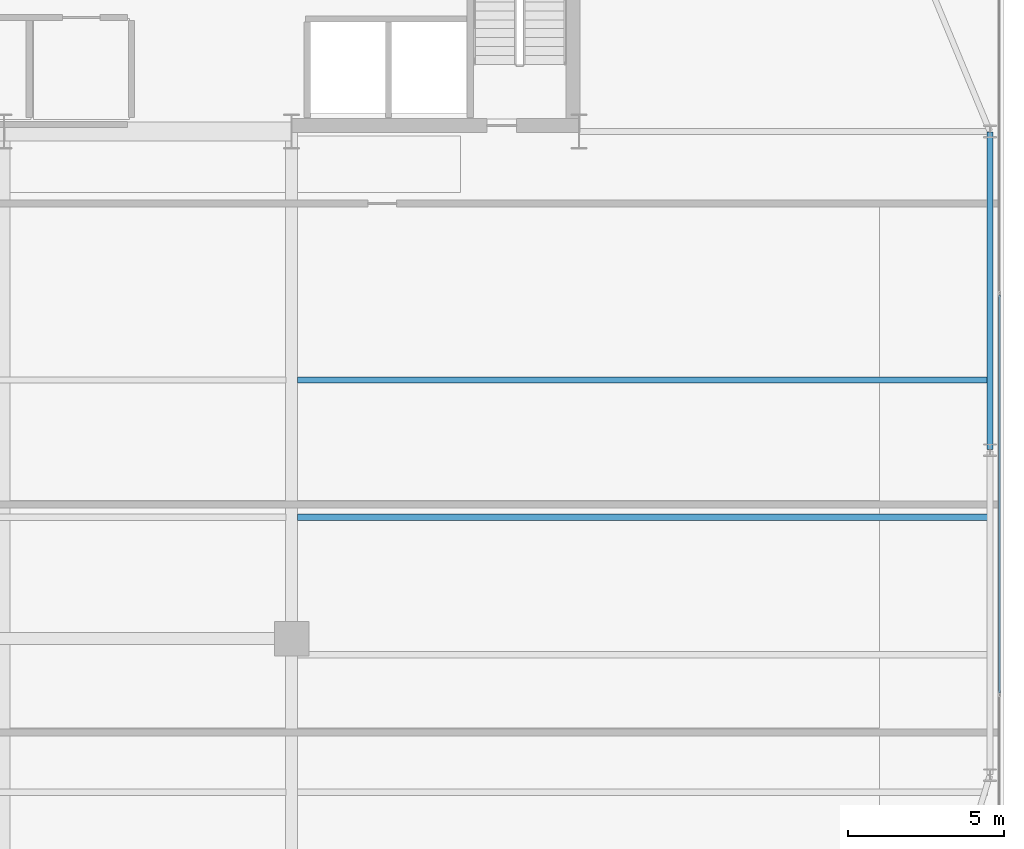
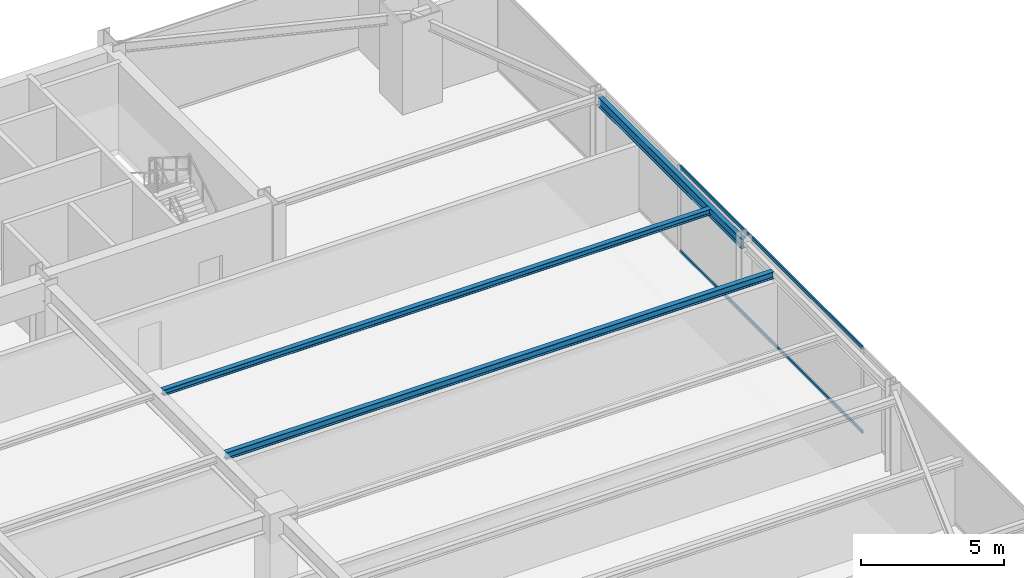
# One storey, part 17 of 29: 3 beams, 2 members, 1 element without a shape of its own.
"""IFC4 building model written with IfcOpenShell, lengths in metres."""

from ifc_helpers import new_model, si_unit, direction, frame, origin, origin_2d, place, context, subcontext, project, spatial, hollow_rectangle, i_section, extrude, source, transform, mapped, material, layer, layer_set, material_profile, profile_set, type_object, type_shapes, element, aggregate, save


model = new_model("IFC4")

# Units and contexts
model_context = context("Model", 3, precision=1e-05, world=origin(), true_north=direction((0.0, 1.0)))
body_context = subcontext(model_context, "Body", "Model", "MODEL_VIEW")
ifc_project = project(units=[si_unit("LENGTHUNIT", "METRE"), si_unit("AREAUNIT", "SQUARE_METRE"), si_unit("VOLUMEUNIT", "CUBIC_METRE"), si_unit("PLANEANGLEUNIT", "RADIAN"), si_unit("MASSUNIT", "GRAM", prefix="KILO")], contexts=[model_context])

# Site, building, storey
site_placement = place(None, origin())
site = spatial("IfcSite", under=ifc_project, at=site_placement, CompositionType="ELEMENT")
building_placement = place(site_placement, origin())
building = spatial("IfcBuilding", under=site, at=building_placement, Name="Varnel Quay Broadcast Tower", CompositionType="ELEMENT")
storey_placement = place(building_placement, frame((0.0, 0.0, 74.39990234375)))
storey = spatial("IfcBuildingStorey", under=building, at=storey_placement, Name="L17", CompositionType="ELEMENT", Elevation=74.39990234375)

# Beams
ifc_material_1 = material(Name="Structural Steel CSA G40.21 350W", Category="steel")
ifc_material_profile_1 = material_profile(ifc_material_1, i_section(OverallWidth=0.180908203125, OverallDepth=0.4169921875, WebThickness=0.010986328125, FlangeThickness=0.018310546875, FilletRadius=0.011962890625, at=origin_2d()), Name="W410X85")
ifc_profile_set_1 = profile_set([ifc_material_profile_1], Name="Structural Steel CSA G40.21 350W")
beam_type_1 = type_object("IfcBeamType", Name="Beam_W410X85", PredefinedType="SPANDREL", material=ifc_profile_set_1)
shared_shape_1 = source(origin(), body_context, "Body", "SweptSolid", [
    extrude(i_section(OverallWidth=0.180908203125, OverallDepth=0.4169921875, WebThickness=0.010986328125, FlangeThickness=0.018310546875, FilletRadius=0.011962890625, at=origin_2d()), origin(), (0.0, 0.0, 1.0), 10.16015625),
])
type_shapes(beam_type_1, [shared_shape_1])
beam_1_placement = place(storey_placement, frame((65.550048828125, 25.419921875, 3.441650390625), z_axis=(0.0, 1.0, 0.0), x_axis=(-1.0, 0.0, 0.0)))
element("IfcBeam", 1, at=beam_1_placement, inside=storey, type_object=beam_type_1, Name="L17 East Spandrel TC-E2-TC-E3", PredefinedType="SPANDREL", context=body_context, shape_type="MappedRepresentation", body=[
    mapped(shared_shape_1, transform((0.0, 0.0, 0.0), x_axis=(1.0, 0.0, 0.0), y_axis=(0.0, 1.0, 0.0), z_axis=(0.0, 0.0, 1.0), scale=1.0)),
])
ifc_material_profile_2 = material_profile(ifc_material_1, i_section(OverallWidth=0.202880859375, OverallDepth=0.302978515625, WebThickness=0.007568359375, FlangeThickness=0.01318359375, FilletRadius=0.011962890625, at=origin_2d()), Name="W310X60")
ifc_profile_set_2 = profile_set([ifc_material_profile_2], Name="Structural Steel CSA G40.21 350W")
beam_type_2 = type_object("IfcBeamType", Name="Beam_W310X60", PredefinedType="JOIST", material=ifc_profile_set_2)
shared_shape_2 = source(origin(), body_context, "Body", "SweptSolid", [
    extrude(i_section(OverallWidth=0.202880859375, OverallDepth=0.302978515625, WebThickness=0.007568359375, FlangeThickness=0.01318359375, FilletRadius=0.011962890625, at=origin_2d()), origin(), (0.0, 0.0, 1.0), 22.0791015625),
])
type_shapes(beam_type_2, [shared_shape_2])
beam_2_placement = place(storey_placement, frame((43.385498046875, 23.25, 3.49853515625), z_axis=(1.0, 0.0, 0.0), x_axis=(0.0, 1.0, 0.0)))
element("IfcBeam", 2, at=beam_2_placement, inside=storey, type_object=beam_type_2, Name="L17 East Floor Joist 5", PredefinedType="JOIST", context=body_context, shape_type="MappedRepresentation", body=[
    mapped(shared_shape_2, transform((0.0, 0.0, 0.0), x_axis=(1.0, 0.0, 0.0), y_axis=(0.0, 1.0, 0.0), z_axis=(0.0, 0.0, 1.0), scale=1.0)),
])
ifc_material_profile_3 = material_profile(ifc_material_1, i_section(OverallWidth=0.201904296875, OverallDepth=0.2470703125, WebThickness=0.00732421875, FlangeThickness=0.010986328125, FilletRadius=0.010986328125, at=origin_2d()), Name="W250X49")
ifc_profile_set_3 = profile_set([ifc_material_profile_3], Name="Structural Steel CSA G40.21 350W")
beam_type_3 = type_object("IfcBeamType", Name="Beam_W250X49", PredefinedType="JOIST", material=ifc_profile_set_3)
shared_shape_3 = source(origin(), body_context, "Body", "SweptSolid", [
    extrude(i_section(OverallWidth=0.201904296875, OverallDepth=0.2470703125, WebThickness=0.00732421875, FlangeThickness=0.010986328125, FilletRadius=0.010986328125, at=origin_2d()), origin(), (0.0, 0.0, 1.0), 22.0791015625),
])
type_shapes(beam_type_3, [shared_shape_3])
beam_3_placement = place(storey_placement, frame((43.385498046875, 27.64990234375, 3.526611328125), z_axis=(1.0, 0.0, 0.0), x_axis=(0.0, 1.0, 0.0)))
element("IfcBeam", 3, at=beam_3_placement, inside=storey, type_object=beam_type_3, Name="L17 East Floor Joist 6", PredefinedType="JOIST", context=body_context, shape_type="MappedRepresentation", body=[
    mapped(shared_shape_3, transform((0.0, 0.0, 0.0), x_axis=(1.0, 0.0, 0.0), y_axis=(0.0, 1.0, 0.0), z_axis=(0.0, 0.0, 1.0), scale=1.0)),
])

# Curtain wall, members
ifc_material_2 = material(Name="Anodised Bronze Aluminium 6063-T6", Category="aluminium")
ifc_layer = layer(ifc_material_2, 0.18994140625, Name="Anodised Bronze Aluminium 6063-T6")
ifc_layer_set = layer_set([ifc_layer], Name="Anodised Bronze Aluminium 6063-T6")
curtain_wall_type = type_object("IfcCurtainWallType", Name="CW_LowerTower", PredefinedType="NOTDEFINED", material=ifc_layer_set)
curtain_wall_placement = place(storey_placement, origin())
curtain_wall = element("IfcCurtainWall", 4, at=curtain_wall_placement, inside=storey, type_object=curtain_wall_type, Name="L17 East Unitised Curtain Wall", PredefinedType="NOTDEFINED")
ifc_material_profile_4 = material_profile(ifc_material_2, hollow_rectangle(XDim=0.06005859375, YDim=0.14501953125, WallThickness=0.00341796875, at=origin_2d()), Name="ALU60X145X3.5")
ifc_profile_set_4 = profile_set([ifc_material_profile_4], Name="Anodised Bronze Aluminium 6063-T6")
member_type = type_object("IfcMemberType", Name="Tran_CWS-02", PredefinedType="USERDEFINED", material=ifc_profile_set_4)
shared_shape_4 = source(origin(), body_context, "Body", "SweptSolid", [
    extrude(hollow_rectangle(XDim=0.06005859375, YDim=0.14501953125, WallThickness=0.00341796875, at=origin_2d()), origin(), (0.0, 0.0, 1.0), 12.72998046875),
])
type_shapes(member_type, [shared_shape_4])
member_1_placement = place(storey_placement, frame((65.85009765625, 17.635009765625, 0.030029296875), z_axis=(0.0, 1.0, 0.0), x_axis=(-1.0, 0.0, 0.0)))
member_1 = element("IfcMember", 5, at=member_1_placement, type_object=member_type, Name="CWS-02 transom 2.1", ObjectType="TRANSOM", PredefinedType="USERDEFINED", context=body_context, shape_type="MappedRepresentation", body=[
    mapped(shared_shape_4, transform((0.0, 0.0, 0.0), x_axis=(1.0, 0.0, 0.0), y_axis=(0.0, 1.0, 0.0), z_axis=(0.0, 0.0, 1.0), scale=1.0)),
])
member_2_placement = place(storey_placement, frame((65.85009765625, 17.635009765625, 3.6201171875), z_axis=(0.0, 1.0, 0.0), x_axis=(-1.0, 0.0, 0.0)))
member_2 = element("IfcMember", 6, at=member_2_placement, type_object=member_type, Name="CWS-02 transom 2.2", ObjectType="TRANSOM", PredefinedType="USERDEFINED", context=body_context, shape_type="MappedRepresentation", body=[
    mapped(shared_shape_4, transform((0.0, 0.0, 0.0), x_axis=(1.0, 0.0, 0.0), y_axis=(0.0, 1.0, 0.0), z_axis=(0.0, 0.0, 1.0), scale=1.0)),
])
aggregate(curtain_wall, [member_1, member_2])

save(model, "model.ifc")
